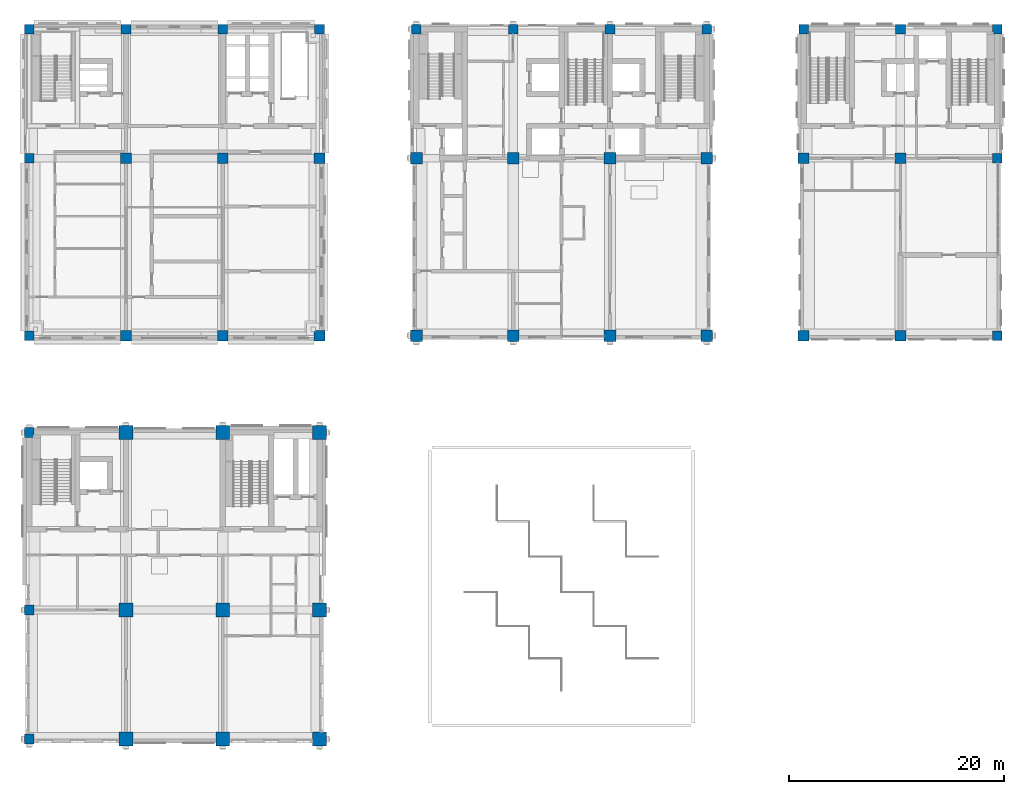
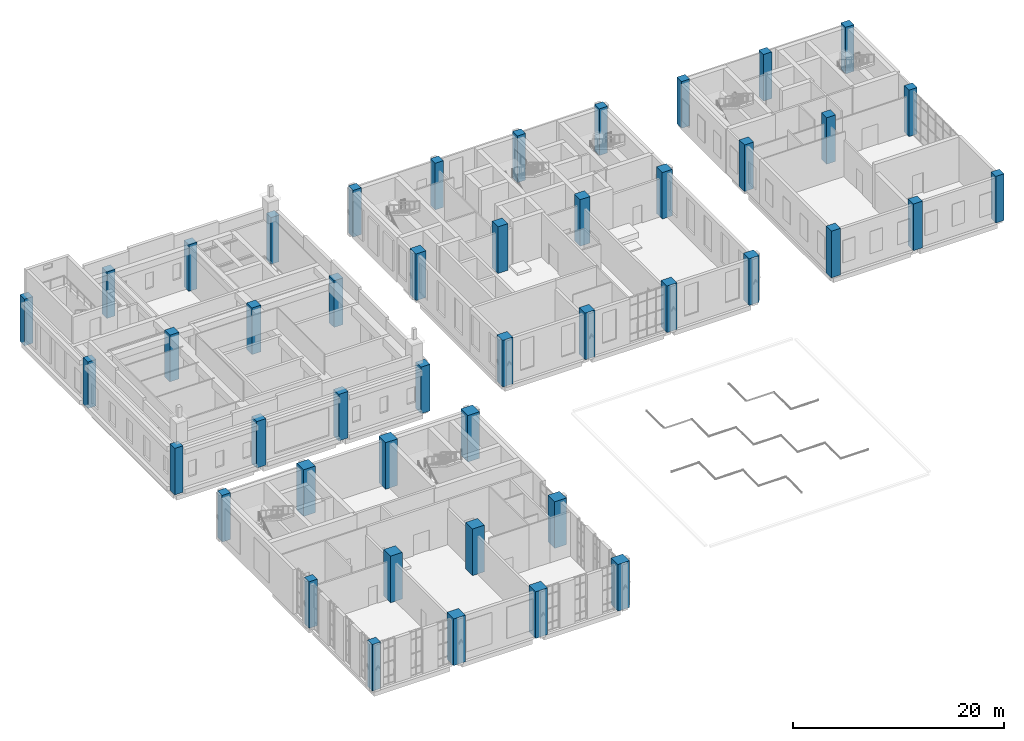
# One storey, part 1 of 37: 45 columns.
"""IFC4 building model written with IfcOpenShell, lengths in metres."""

from ifc_helpers import new_model, si_unit, direction, frame, origin, origin_2d, place, context, subcontext, project, spatial, rectangle, extrude, material, material_profile, profile_set, type_object, element, save


model = new_model("IFC4")

# Units and contexts
model_context = context("Model", 3, precision=1e-05, world=origin(), true_north=direction((0.0, 1.0)))
body_context = subcontext(model_context, "Body", "Model", "MODEL_VIEW")
ifc_project = project(units=[si_unit("LENGTHUNIT", "METRE"), si_unit("AREAUNIT", "SQUARE_METRE"), si_unit("VOLUMEUNIT", "CUBIC_METRE"), si_unit("PLANEANGLEUNIT", "RADIAN"), si_unit("MASSUNIT", "GRAM", prefix="KILO")], contexts=[model_context])

# Site, building, storey
site_placement = place(None, origin())
site = spatial("IfcSite", under=ifc_project, at=site_placement, CompositionType="ELEMENT")
building_placement = place(site_placement, origin())
building = spatial("IfcBuilding", under=site, at=building_placement, Name="Aurelan Courthouse", CompositionType="ELEMENT")
storey_placement = place(building_placement, frame((0.0, 0.0, 17.39990234375)))
storey = spatial("IfcBuildingStorey", under=building, at=storey_placement, Name="L03", CompositionType="ELEMENT", Elevation=17.39990234375)

# Columns
ifc_material = material(Name="Concrete C50", Category="concrete")
ifc_material_profile_1 = material_profile(ifc_material, rectangle(XDim=1.0, YDim=1.0, at=origin_2d()), Name="RC 1000 x 1000")
ifc_profile_set_1 = profile_set([ifc_material_profile_1], Name="Concrete C50")
column_type_1 = type_object("IfcColumnType", Name="RC column 1000 x 1000 C50", PredefinedType="COLUMN", material=ifc_profile_set_1)
for number, where, z_axis, x_axis, name in (
    (1, (9.0, 37.5, 0.0), (0.0, 0.0, 1.0), (1.0, 0.0, 0.0), "Column C-D2-A"),
    (2, (18.0, 37.5, 0.0), (0.0, 0.0, 1.0), (1.0, 0.0, 0.0), "Column C-D3-A"),
    (3, (27.0, 37.5, 0.0), (0.0, 0.0, 1.0), (1.0, 0.0, 0.0), "Column C-D4-A"),
    (4, (72.0, 37.5, 0.0), (0.0, 0.0, 1.0), (1.0, 0.0, 0.0), "Column C-D9-A"),
    (5, (81.0, 37.5, 0.0), (0.0, 0.0, 1.0), (1.0, 0.0, 0.0), "Column C-D10-A"),
    (6, (9.0, 54.0, 0.0), (0.0, 0.0, 1.0), (1.0, 0.0, 0.0), "Column C-E2-A"),
    (7, (18.0, 54.0, 0.0), (0.0, 0.0, 1.0), (1.0, 0.0, 0.0), "Column C-E3-A"),
    (8, (27.0, 54.0, 0.0), (0.0, 0.0, 1.0), (1.0, 0.0, 0.0), "Column C-E4-A"),
    (9, (72.0, 54.0, 0.0), (0.0, 0.0, 1.0), (1.0, 0.0, 0.0), "Column C-E9-A"),
    (10, (81.0, 54.0, 0.0), (0.0, 0.0, 1.0), (1.0, 0.0, 0.0), "Column C-E10-A"),
):
    element("IfcColumn", number, at=place(storey_placement, frame(where, z_axis=z_axis, x_axis=x_axis)), inside=storey, type_object=column_type_1, Name=name, PredefinedType="COLUMN", context=body_context, shape_type="SweptSolid", body=[
        extrude(rectangle(XDim=1.0, YDim=1.0, at=origin_2d()), origin(), (0.0, 0.0, 1.0), 5.400146484375),
    ])
ifc_material_profile_2 = material_profile(ifc_material, rectangle(XDim=1.10009765625, YDim=1.10009765625, at=origin_2d()), Name="RC 1100 x 1100")
ifc_profile_set_2 = profile_set([ifc_material_profile_2], Name="Concrete C50")
column_type_2 = type_object("IfcColumnType", Name="RC column 1100 x 1100 C50", PredefinedType="COLUMN", material=ifc_profile_set_2)
for number, where, z_axis, x_axis, name in (
    (11, (36.0, 37.5, 0.0), (0.0, 0.0, 1.0), (1.0, 0.0, 0.0), "Column C-D5-A"),
    (12, (45.0, 37.5, 0.0), (0.0, 0.0, 1.0), (1.0, 0.0, 0.0), "Column C-D6-A"),
    (13, (54.0, 37.5, 0.0), (0.0, 0.0, 1.0), (1.0, 0.0, 0.0), "Column C-D7-A"),
    (14, (63.0, 37.5, 0.0), (0.0, 0.0, 1.0), (1.0, 0.0, 0.0), "Column C-D8-A"),
    (15, (36.0, 54.0, 0.0), (0.0, 0.0, 1.0), (1.0, 0.0, 0.0), "Column C-E5-A"),
    (16, (45.0, 54.0, 0.0), (0.0, 0.0, 1.0), (1.0, 0.0, 0.0), "Column C-E6-A"),
    (17, (54.0, 54.0, 0.0), (0.0, 0.0, 1.0), (1.0, 0.0, 0.0), "Column C-E7-A"),
    (18, (63.0, 54.0, 0.0), (0.0, 0.0, 1.0), (1.0, 0.0, 0.0), "Column C-E8-A"),
):
    element("IfcColumn", number, at=place(storey_placement, frame(where, z_axis=z_axis, x_axis=x_axis)), inside=storey, type_object=column_type_2, Name=name, PredefinedType="COLUMN", context=body_context, shape_type="SweptSolid", body=[
        extrude(rectangle(XDim=1.10009765625, YDim=1.10009765625, at=origin_2d()), origin(), (0.0, 0.0, 1.0), 5.400146484375),
    ])
ifc_material_profile_3 = material_profile(ifc_material, rectangle(XDim=1.300048828125, YDim=1.300048828125, at=origin_2d()), Name="RC 1300 x 1300")
ifc_profile_set_3 = profile_set([ifc_material_profile_3], Name="Concrete C50")
column_type_3 = type_object("IfcColumnType", Name="RC column 1300 x 1300 C50", PredefinedType="COLUMN", material=ifc_profile_set_3)
for number, where, z_axis, x_axis, name in (
    (19, (9.0, 0.0, 0.0), (0.0, 0.0, 1.0), (1.0, 0.0, 0.0), "Column C-A2-B"),
    (20, (18.0, 0.0, 0.0), (0.0, 0.0, 1.0), (1.0, 0.0, 0.0), "Column C-A3-B"),
    (21, (27.0, 0.0, 0.0), (0.0, 0.0, 1.0), (1.0, 0.0, 0.0), "Column C-A4-B"),
    (22, (9.0, 12.0, 0.0), (0.0, 0.0, 1.0), (1.0, 0.0, 0.0), "Column C-B2-B"),
    (23, (18.0, 12.0, 0.0), (0.0, 0.0, 1.0), (1.0, 0.0, 0.0), "Column C-B3-B"),
    (24, (27.0, 12.0, 0.0), (0.0, 0.0, 1.0), (1.0, 0.0, 0.0), "Column C-B4-B"),
    (25, (9.0, 28.5, 0.0), (0.0, 0.0, 1.0), (1.0, 0.0, 0.0), "Column C-C2-B"),
    (26, (18.0, 28.5, 0.0), (0.0, 0.0, 1.0), (1.0, 0.0, 0.0), "Column C-C3-B"),
    (27, (27.0, 28.5, 0.0), (0.0, 0.0, 1.0), (1.0, 0.0, 0.0), "Column C-C4-B"),
):
    element("IfcColumn", number, at=place(storey_placement, frame(where, z_axis=z_axis, x_axis=x_axis)), inside=storey, type_object=column_type_3, Name=name, PredefinedType="COLUMN", context=body_context, shape_type="SweptSolid", body=[
        extrude(rectangle(XDim=1.300048828125, YDim=1.300048828125, at=origin_2d()), origin(), (0.0, 0.0, 1.0), 5.400146484375),
    ])
ifc_material_profile_4 = material_profile(ifc_material, rectangle(XDim=0.89990234375, YDim=0.89990234375, at=origin_2d()), Name="RC 900 x 900")
ifc_profile_set_4 = profile_set([ifc_material_profile_4], Name="Concrete C50")
column_type_4 = type_object("IfcColumnType", Name="RC column 900 x 900 C50", PredefinedType="COLUMN", material=ifc_profile_set_4)
for number, where, z_axis, x_axis, name in (
    (28, (0.0, 0.0, 0.0), (0.0, 0.0, 1.0), (1.0, 0.0, 0.0), "Column C-A1-B"),
    (29, (0.0, 12.0, 0.0), (0.0, 0.0, 1.0), (1.0, 0.0, 0.0), "Column C-B1-B"),
    (30, (0.0, 28.5, 0.0), (0.0, 0.0, 1.0), (1.0, 0.0, 0.0), "Column C-C1-B"),
    (31, (0.0, 37.5, 0.0), (0.0, 0.0, 1.0), (1.0, 0.0, 0.0), "Column C-D1-A"),
    (32, (90.0, 37.5, 0.0), (0.0, 0.0, 1.0), (1.0, 0.0, 0.0), "Column C-D11-A"),
    (33, (0.0, 54.0, 0.0), (0.0, 0.0, 1.0), (1.0, 0.0, 0.0), "Column C-E1-A"),
    (34, (90.0, 54.0, 0.0), (0.0, 0.0, 1.0), (1.0, 0.0, 0.0), "Column C-E11-A"),
    (35, (0.0, 66.0, 0.0), (0.0, 0.0, 1.0), (1.0, 0.0, 0.0), "Column C-F1-A"),
    (36, (9.0, 66.0, 0.0), (0.0, 0.0, 1.0), (1.0, 0.0, 0.0), "Column C-F2-A"),
    (37, (18.0, 66.0, 0.0), (0.0, 0.0, 1.0), (1.0, 0.0, 0.0), "Column C-F3-A"),
    (38, (27.0, 66.0, 0.0), (0.0, 0.0, 1.0), (1.0, 0.0, 0.0), "Column C-F4-A"),
    (39, (36.0, 66.0, 0.0), (0.0, 0.0, 1.0), (1.0, 0.0, 0.0), "Column C-F5-A"),
    (40, (45.0, 66.0, 0.0), (0.0, 0.0, 1.0), (1.0, 0.0, 0.0), "Column C-F6-A"),
    (41, (54.0, 66.0, 0.0), (0.0, 0.0, 1.0), (1.0, 0.0, 0.0), "Column C-F7-A"),
    (42, (63.0, 66.0, 0.0), (0.0, 0.0, 1.0), (1.0, 0.0, 0.0), "Column C-F8-A"),
    (43, (72.0, 66.0, 0.0), (0.0, 0.0, 1.0), (1.0, 0.0, 0.0), "Column C-F9-A"),
    (44, (81.0, 66.0, 0.0), (0.0, 0.0, 1.0), (1.0, 0.0, 0.0), "Column C-F10-A"),
    (45, (90.0, 66.0, 0.0), (0.0, 0.0, 1.0), (1.0, 0.0, 0.0), "Column C-F11-A"),
):
    element("IfcColumn", number, at=place(storey_placement, frame(where, z_axis=z_axis, x_axis=x_axis)), inside=storey, type_object=column_type_4, Name=name, PredefinedType="COLUMN", context=body_context, shape_type="SweptSolid", body=[
        extrude(rectangle(XDim=0.89990234375, YDim=0.89990234375, at=origin_2d()), origin(), (0.0, 0.0, 1.0), 5.400146484375),
    ])

save(model, "model.ifc")
